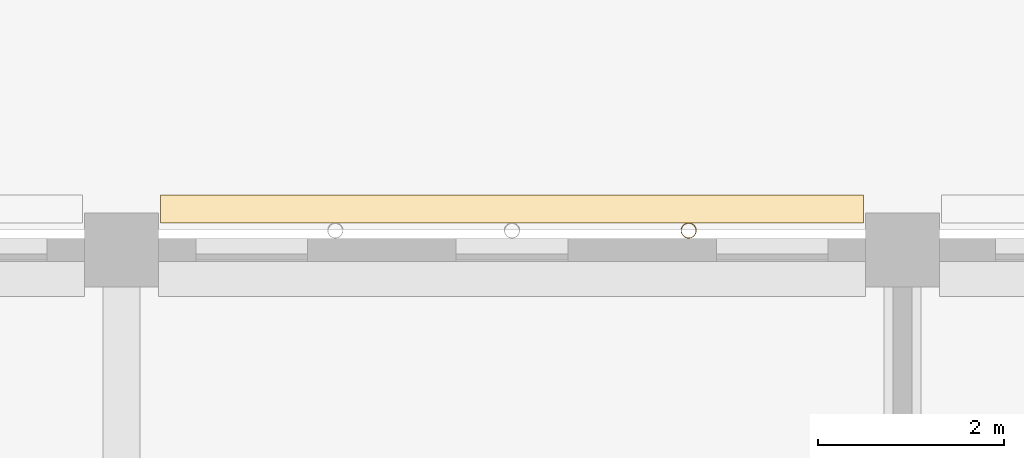
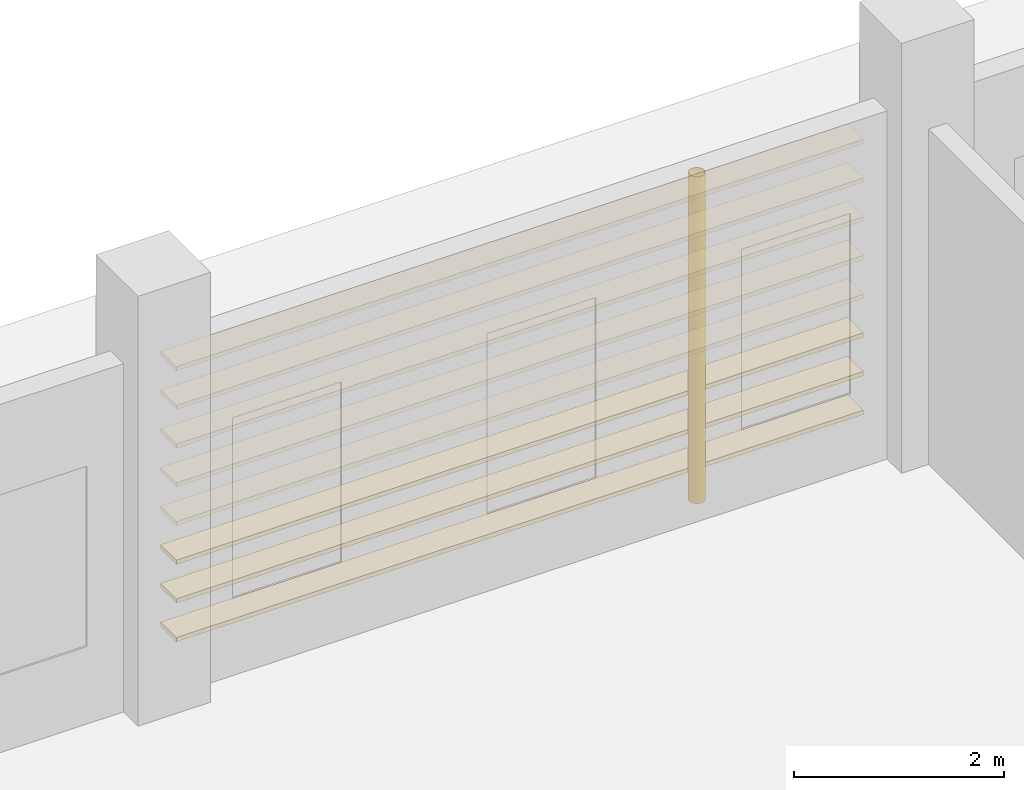
# One storey, part 83 of 101: 8 coverings, 1 shading device.
"""IFC4 building model written with IfcOpenShell, lengths in metres."""

import ifcopenshell
import ifcopenshell.guid

model = None  # the IFC model being written
_history = None  # IfcOwnerHistory: only IFC2X3 demands one
_inside = {}  # id of a spatial element -> (the spatial element, [elements in it])
_under = {}  # id of a project, library or spatial element -> (it, [spatial elements below it])
_declared = {}  # id of a project -> (the project, [libraries it declares])
_typed = {}  # id of a type object -> (the type object, [elements of that type])
_made_of = {}  # id of a material, layer set ... -> (it, [elements and type objects made of it])


def new_model(schema):
    """Start an empty IFC model of exactly this schema.

    Asked for "IFC4X3", IfcOpenShell would pick the latest addendum, in which some entities
    have other attributes; the version numbers below select the first issue.
    IFC2X3 requires an IfcOwnerHistory on every rooted entity: one is made here for all.
    """
    global model, _history
    if schema == "IFC4X3":
        model = ifcopenshell.file(schema_version=(4, 3, 0, 0))
    else:
        model = ifcopenshell.file(schema=schema)
    _inside.clear()
    _under.clear()
    _declared.clear()
    _typed.clear()
    _made_of.clear()
    _history = None
    if model.schema == "IFC2X3":
        org = make("IfcOrganization", Name="unknown")
        user = make(
            "IfcPersonAndOrganization",
            ThePerson=make("IfcPerson", FamilyName="unknown"),
            TheOrganization=org,
        )
        app = make(
            "IfcApplication",
            ApplicationDeveloper=org,
            Version="unknown",
            ApplicationFullName="unknown",
            ApplicationIdentifier="unknown",
        )
        _history = make(
            "IfcOwnerHistory",
            OwningUser=user,
            OwningApplication=app,
            ChangeAction="ADDED",
            CreationDate=0,
        )
    return model


def make(cls, **values):
    """One entity of the class cls with the attributes given. An attribute that is None is left unset."""
    return model.create_entity(
        cls, **{name: value for name, value in values.items() if value is not None}
    )


def rooted(cls, **values):
    """An entity with a GlobalId (a new one), such as an element, a storey or a relation."""
    return make(cls, GlobalId=ifcopenshell.guid.new(), OwnerHistory=_history, **values)


def si_unit(unit_type, name, prefix=None):
    """IfcSIUnit, for example si_unit("LENGTHUNIT", "METRE", prefix="MILLI")."""
    return make("IfcSIUnit", UnitType=unit_type, Prefix=prefix, Name=name)


def assignment(units):
    """IfcUnitAssignment: the units of a project."""
    return None if units is None else make("IfcUnitAssignment", Units=units)


def point(xyz):
    """IfcCartesianPoint."""
    return None if xyz is None else make("IfcCartesianPoint", Coordinates=xyz)


def direction(xyz):
    """IfcDirection."""
    return None if xyz is None else make("IfcDirection", DirectionRatios=xyz)


def frame(location, z_axis=None, x_axis=None):
    """IfcAxis2Placement3D, a coordinate frame: its origin and axes. An axis left out is left unset."""
    return make(
        "IfcAxis2Placement3D",
        Location=point(location),
        Axis=direction(z_axis),
        RefDirection=direction(x_axis),
    )


def frame_2d(location, x_axis=None):
    """IfcAxis2Placement2D, a coordinate frame in the plane: its origin and x axis."""
    return make(
        "IfcAxis2Placement2D", Location=point(location), RefDirection=direction(x_axis)
    )


def origin():
    """The frame at (0, 0, 0) with its axes left unset."""
    return frame((0.0, 0.0, 0.0))


def origin_2d():
    """The frame at (0, 0) in the plane with its x axis left unset."""
    return frame_2d((0.0, 0.0))


def place(relative_to, where):
    """IfcLocalPlacement: puts the frame where relative to a parent placement (None: the world)."""
    return make(
        "IfcLocalPlacement", PlacementRelTo=relative_to, RelativePlacement=where
    )


def context(
    kind, dimensions, precision=None, world=None, true_north=None, identifier=None
):
    """IfcGeometricRepresentationContext, for example the 3D "Model" context."""
    return make(
        "IfcGeometricRepresentationContext",
        ContextIdentifier=identifier,
        ContextType=kind,
        CoordinateSpaceDimension=dimensions,
        Precision=precision,
        WorldCoordinateSystem=world,
        TrueNorth=true_north,
    )


def subcontext(parent, identifier, kind, view, scale=None):
    """IfcGeometricRepresentationSubContext, for example "Body" below "Model"."""
    return make(
        "IfcGeometricRepresentationSubContext",
        ContextIdentifier=identifier,
        ContextType=kind,
        ParentContext=parent,
        TargetScale=scale,
        TargetView=view,
    )


def project(units=None, contexts=None):
    """IfcProject with its units and contexts."""
    return rooted(
        "IfcProject",
        Name="project",
        RepresentationContexts=contexts,
        UnitsInContext=assignment(units),
    )


def spatial(cls, under=None, at=None, **own):
    """A site, building, storey or space (cls), placed at a placement, below another one or the project."""
    s = rooted(cls, ObjectPlacement=at, **own)
    if under is not None:
        _under.setdefault(under.id(), (under, []))[1].append(s)
    return s


def profile(cls, at=None, kind="AREA", **sizes):
    """A parametric profile (cls). Its sizes go by their IFC names, for example OverallWidth=200.0."""
    return make(cls, ProfileType=kind, Position=at, **sizes)


def rectangle(**sizes):
    """IfcRectangleProfileDef."""
    return profile("IfcRectangleProfileDef", **sizes)


def hollow_circle(**sizes):
    """IfcCircleHollowProfileDef."""
    return profile("IfcCircleHollowProfileDef", **sizes)


def extrude(swept, where, along, depth):
    """IfcExtrudedAreaSolid: the profile swept, set in the frame where, extruded along a direction by depth."""
    return make(
        "IfcExtrudedAreaSolid",
        SweptArea=swept,
        Position=where,
        ExtrudedDirection=direction(along),
        Depth=depth,
    )


def shape(context_of_items, identifier, shape_type, items):
    """IfcShapeRepresentation: the items that make up one representation, for example the "Body"."""
    return make(
        "IfcShapeRepresentation",
        ContextOfItems=context_of_items,
        RepresentationIdentifier=identifier,
        RepresentationType=shape_type,
        Items=items,
    )


def material(Name=None, Category=None):
    """IfcMaterial."""
    return make("IfcMaterial", Name=Name, Category=Category)


def material_profile(
    of_material, cross_section, Name=None, Category=None, Priority=None
):
    """IfcMaterialProfile: a cross section and its material."""
    return make(
        "IfcMaterialProfile",
        Name=Name,
        Material=of_material,
        Profile=cross_section,
        Priority=Priority,
        Category=Category,
    )


def profile_set(profiles, Name=None, composite=None):
    """IfcMaterialProfileSet."""
    return make(
        "IfcMaterialProfileSet",
        Name=Name,
        MaterialProfiles=profiles,
        CompositeProfile=composite,
    )


def made_of(thing, what):
    """Note that an element or type object is made of a material, layer set ...; save() writes the relation."""
    if what is not None:
        _made_of.setdefault(what.id(), (what, []))[1].append(thing)
    return thing


def type_object(cls, material=None, **own):
    """A type object (cls), such as IfcWallType, which elements share."""
    return made_of(rooted(cls, **own), material)


def element(
    cls,
    number,
    at=None,
    inside=None,
    cuts=None,
    type_object=None,
    material=None,
    context=None,
    identifier="Body",
    shape_type=None,
    held_by="IfcProductDefinitionShape",
    body=None,
    shapes=None,
    **own,
):
    """One element of the class cls, such as IfcWall. Its Tag is "e" and its number.

    at: its placement. inside: the storey or other place that contains it. cuts: it is an
    opening in that element (IfcRelVoidsElement). A single representation is given by context,
    identifier, shape_type and body (its items); several are given by shapes. held_by: the class
    of the entity that holds the representations. save() writes the other relations.
    """
    e = rooted(cls, Tag="e%d" % number, ObjectPlacement=at, **own)
    if body is not None:
        shapes = [shape(context, identifier, shape_type, body)]
    if shapes is not None:
        e.Representation = make(held_by, Representations=shapes)
    if inside is not None:
        _inside.setdefault(inside.id(), (inside, []))[1].append(e)
    if cuts is not None:
        rooted(
            "IfcRelVoidsElement", RelatingBuildingElement=cuts, RelatedOpeningElement=e
        )
    if type_object is not None:
        _typed.setdefault(type_object.id(), (type_object, []))[1].append(e)
    return made_of(e, material)


def aggregate(whole, parts):
    """IfcRelAggregates: a whole, such as a stair, and the parts it consists of."""
    return rooted("IfcRelAggregates", RelatingObject=whole, RelatedObjects=parts)


def save(model, path):
    """Write the relations noted so far, then the file.

    IfcRelAggregates (storeys below a building ...), IfcRelContainedInSpatialStructure (elements
    in a storey), IfcRelDefinesByType, IfcRelAssociatesMaterial and IfcRelDeclares: one each for
    every whole, place, type object, material and project.
    """
    for whole, parts in _under.values():
        aggregate(whole, parts)
    for where, things in _inside.values():
        rooted(
            "IfcRelContainedInSpatialStructure",
            RelatedElements=things,
            RelatingStructure=where,
        )
    for kind, things in _typed.values():
        rooted("IfcRelDefinesByType", RelatedObjects=things, RelatingType=kind)
    for what, things in _made_of.values():
        rooted("IfcRelAssociatesMaterial", RelatedObjects=things, RelatingMaterial=what)
    for by, libraries in _declared.values():
        rooted("IfcRelDeclares", RelatingContext=by, RelatedDefinitions=libraries)
    model.write(path)


model = new_model("IFC4")

# Units and contexts
model_context = context("Model", 3, precision=1e-05, world=origin(), true_north=direction((0.0, 1.0)))
body_context = subcontext(model_context, "Body", "Model", "MODEL_VIEW")
ifc_project = project(units=[si_unit("LENGTHUNIT", "METRE"), si_unit("AREAUNIT", "SQUARE_METRE"), si_unit("VOLUMEUNIT", "CUBIC_METRE"), si_unit("PLANEANGLEUNIT", "RADIAN"), si_unit("MASSUNIT", "GRAM", prefix="KILO")], contexts=[model_context])

# Site, building, storey
site_placement = place(None, origin())
site = spatial("IfcSite", under=ifc_project, at=site_placement, CompositionType="ELEMENT")
building_placement = place(site_placement, origin())
building = spatial("IfcBuilding", under=site, at=building_placement, Name="Almond Square Museum", CompositionType="ELEMENT")
storey_placement = place(building_placement, frame((0.0, 0.0, 5.5)))
storey = spatial("IfcBuildingStorey", under=building, at=storey_placement, Name="L01", CompositionType="ELEMENT", Elevation=5.5)

# Shading device
ifc_material_1 = material(Name="Structural steel S355", Category="steel")
ifc_material_profile_1 = material_profile(ifc_material_1, hollow_circle(Radius=0.084228515625, WallThickness=0.008056640625, at=origin_2d()))
ifc_profile_set_1 = profile_set([ifc_material_profile_1], Name="Structural steel S355")
shading_device_type = type_object("IfcShadingDeviceType", Name="Louvre post CHS 168.3 x 8", PredefinedType="USERDEFINED", material=ifc_profile_set_1)
shading_device_placement = place(storey_placement, frame((62.5, 109.4091796875, 0.0), z_axis=(0.0, 0.0, 1.0), x_axis=(1.0, 0.0, 0.0)))
element("IfcShadingDevice", 1, at=shading_device_placement, inside=storey, type_object=shading_device_type, Name="Louvre screen post", ObjectType="POST", PredefinedType="USERDEFINED", context=body_context, shape_type="SweptSolid", body=[
    extrude(hollow_circle(Radius=0.084228515625, WallThickness=0.008056640625, at=origin_2d()), origin(), (0.0, 0.0, 1.0), 3.800048828125),
])

# Coverings
ifc_material_2 = material(Name="Cedar timber louvre board", Category="wood")
ifc_material_profile_2 = material_profile(ifc_material_2, rectangle(XDim=0.300048828125, YDim=0.050048828125, at=origin_2d()))
ifc_profile_set_2 = profile_set([ifc_material_profile_2], Name="Cedar timber louvre board")
covering_type = type_object("IfcCoveringType", Name="Louvre screen board 300 x 50", PredefinedType="CLADDING", material=ifc_profile_set_2)
for number, where, z_axis, x_axis, name in (
    (2, (56.820068359375, 109.639404296875, 0.300048828125), (1.0, 0.0, 0.0), (0.0, 1.0, 0.0), "Louvre screen board"),
    (3, (56.820068359375, 109.639404296875, 0.75), (1.0, 0.0, 0.0), (0.0, 1.0, 0.0), "Louvre screen board"),
    (4, (56.820068359375, 109.639404296875, 1.199951171875), (1.0, 0.0, 0.0), (0.0, 1.0, 0.0), "Louvre screen board"),
    (5, (56.820068359375, 109.639404296875, 1.64990234375), (1.0, 0.0, 0.0), (0.0, 1.0, 0.0), "Louvre screen board"),
    (6, (56.820068359375, 109.639404296875, 2.10009765625), (1.0, 0.0, 0.0), (0.0, 1.0, 0.0), "Louvre screen board"),
    (7, (56.820068359375, 109.639404296875, 2.550048828125), (1.0, 0.0, 0.0), (0.0, 1.0, 0.0), "Louvre screen board"),
    (8, (56.820068359375, 109.639404296875, 3.0), (1.0, 0.0, 0.0), (0.0, 1.0, 0.0), "Louvre screen board"),
    (9, (56.820068359375, 109.639404296875, 3.449951171875), (1.0, 0.0, 0.0), (0.0, 1.0, 0.0), "Louvre screen board"),
):
    element("IfcCovering", number, at=place(storey_placement, frame(where, z_axis=z_axis, x_axis=x_axis)), inside=storey, type_object=covering_type, Name=name, PredefinedType="CLADDING", context=body_context, shape_type="SweptSolid", body=[
        extrude(rectangle(XDim=0.300048828125, YDim=0.050048828125, at=origin_2d()), origin(), (0.0, 0.0, 1.0), 7.559814453125),
    ])

save(model, "model.ifc")
